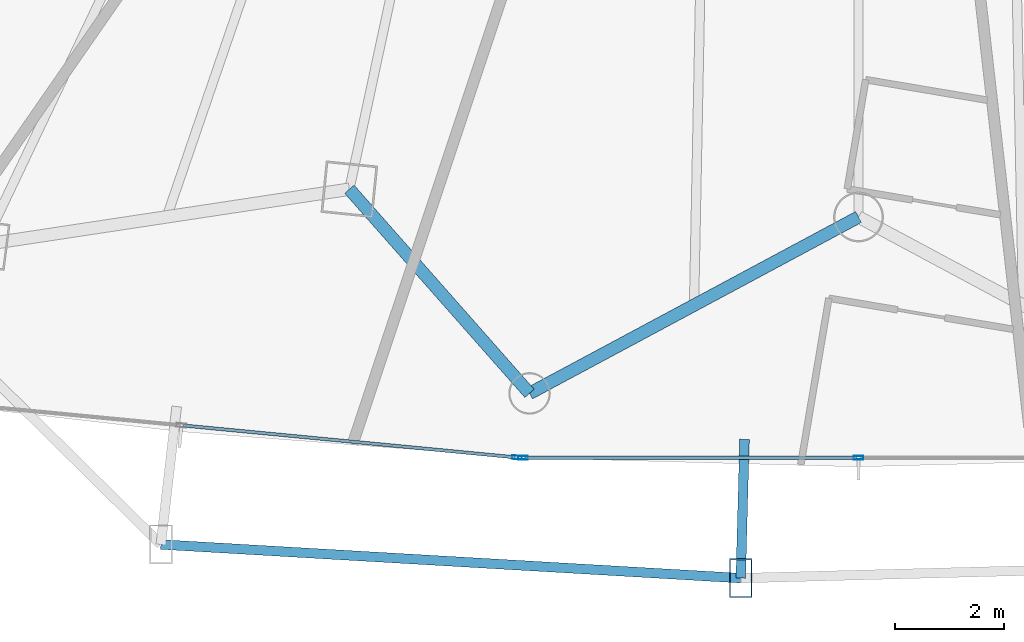
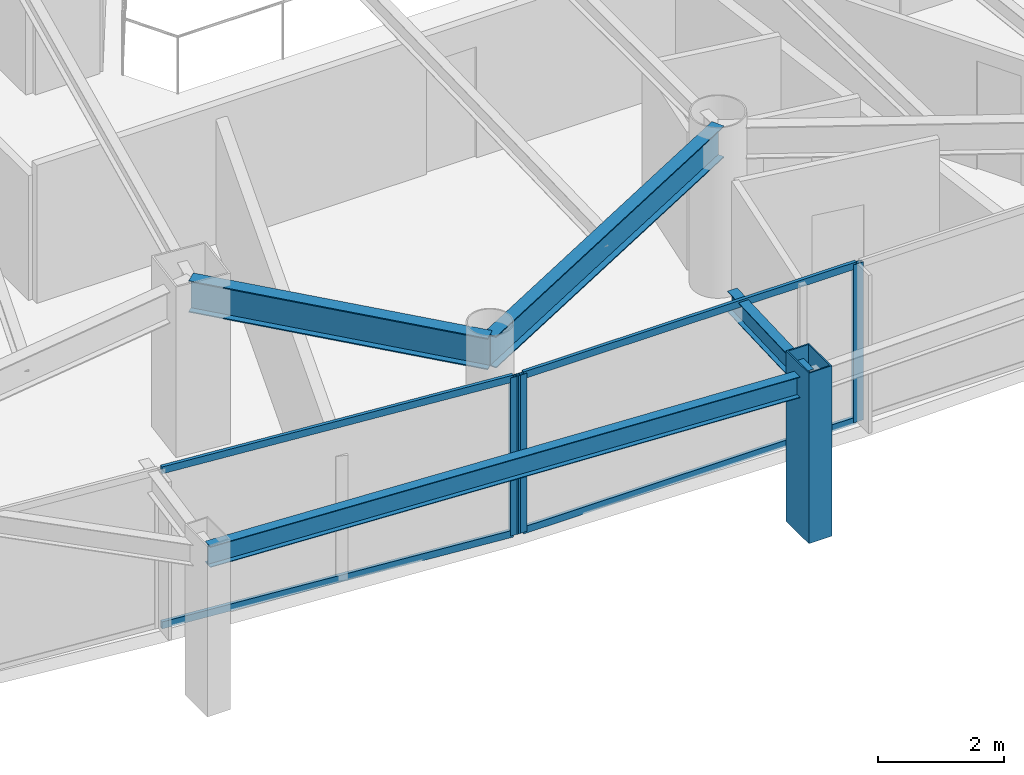
# One storey, part 6 of 33: 8 members, 4 beams, 2 elements without a shape of their own.
"""IFC4 building model written with IfcOpenShell, lengths in metres."""

from ifc_helpers import new_model, si_unit, direction, frame, origin, origin_2d, place, context, subcontext, project, spatial, hollow_rectangle, i_section, extrude, material, layer, layer_set, material_profile, profile_set, type_object, element, aggregate, save


model = new_model("IFC4")

# Units and contexts
model_context = context("Model", 3, precision=1e-05, world=origin(), true_north=direction((0.0, 1.0)))
body_context = subcontext(model_context, "Body", "Model", "MODEL_VIEW")
ifc_project = project(units=[si_unit("LENGTHUNIT", "METRE"), si_unit("AREAUNIT", "SQUARE_METRE"), si_unit("VOLUMEUNIT", "CUBIC_METRE"), si_unit("PLANEANGLEUNIT", "RADIAN"), si_unit("MASSUNIT", "GRAM", prefix="KILO")], contexts=[model_context])

# Site, building, storey
site_placement = place(None, origin())
site = spatial("IfcSite", under=ifc_project, at=site_placement, CompositionType="ELEMENT")
building_placement = place(site_placement, origin())
building = spatial("IfcBuilding", under=site, at=building_placement, Name="Orvanel Arch Residences", CompositionType="ELEMENT")
storey_placement = place(building_placement, frame((0.0, 0.0, 90.64990234375)))
storey = spatial("IfcBuildingStorey", under=building, at=storey_placement, Name="L25", CompositionType="ELEMENT", Elevation=90.64990234375)

# Member
ifc_material_1 = material(Name="Structural steel AS/NZS 3678 Grade 350", Category="steel")
ifc_material_profile_1 = material_profile(ifc_material_1, hollow_rectangle(XDim=0.419921875, YDim=0.719970703125, WallThickness=0.02490234375, at=origin_2d()), Name="RHS720x420x25")
ifc_profile_set_1 = profile_set([ifc_material_profile_1], Name="Structural steel AS/NZS 3678 Grade 350")
member_type_1 = type_object("IfcMemberType", Name="CH-720RHS-EXT", PredefinedType="CHORD", material=ifc_profile_set_1)
member_1_placement = place(storey_placement, frame((30.8369140625, 0.2119140625, 0.0), z_axis=(0.0, 0.0, 1.0), x_axis=(1.0, 0.0, 0.0)))
element("IfcMember", 1, at=member_1_placement, inside=storey, type_object=member_type_1, Name="L25 Outer Perimeter Frame Post 06", PredefinedType="CHORD", context=body_context, shape_type="SweptSolid", body=[
    extrude(hollow_rectangle(XDim=0.419921875, YDim=0.719970703125, WallThickness=0.02490234375, at=origin_2d()), origin(), (0.0, 0.0, 1.0), 3.300048828125),
])

# Curtain wall, member
ifc_material_2 = material(Name="Bronze-anodised aluminium AA6063-T6", Category="aluminium")
ifc_layer = layer(ifc_material_2, 0.179931640625)
ifc_layer_set = layer_set([ifc_layer], Name="Bronze-anodised aluminium AA6063-T6")
curtain_wall_type = type_object("IfcCurtainWallType", Name="CW2-LOW-SYS", PredefinedType="NOTDEFINED", material=ifc_layer_set)
curtain_wall_1_placement = place(storey_placement, origin())
curtain_wall_1 = element("IfcCurtainWall", 2, at=curtain_wall_1_placement, inside=storey, type_object=curtain_wall_type, Name="L25 CW2-LOW-SYS Unitised Curtain Wall", PredefinedType="NOTDEFINED")
ifc_material_profile_2 = material_profile(ifc_material_2, hollow_rectangle(XDim=0.070068359375, YDim=0.179931640625, WallThickness=0.00439453125, at=origin_2d()), Name="ALU180x70x4.5")
ifc_profile_set_2 = profile_set([ifc_material_profile_2], Name="Bronze-anodised aluminium AA6063-T6")
member_type_2 = type_object("IfcMemberType", Name="MUL-180x70", PredefinedType="MULLION", material=ifc_profile_set_2)
member_2_placement = place(storey_placement, frame((26.728271484375, 2.42724609375, 0.0), z_axis=(0.0, 0.0, 1.0), x_axis=(0.095487456477, 0.995430633272, 0.0)))
member_2 = element("IfcMember", 3, at=member_2_placement, type_object=member_type_2, Name="CW-S2 mullion 3", PredefinedType="MULLION", context=body_context, shape_type="SweptSolid", body=[
    extrude(hollow_rectangle(XDim=0.070068359375, YDim=0.179931640625, WallThickness=0.00439453125, at=origin_2d()), origin(), (0.0, 0.0, 1.0), 3.06005859375),
])

# Curtain wall, members
curtain_wall_2_placement = place(storey_placement, origin())
curtain_wall_2 = element("IfcCurtainWall", 4, at=curtain_wall_2_placement, inside=storey, type_object=curtain_wall_type, Name="L25 CW2-LOW-SYS Unitised Curtain Wall", PredefinedType="NOTDEFINED")
member_3_placement = place(storey_placement, frame((26.837890625, 2.422119140625, 0.0), z_axis=(0.0, 0.0, 1.0), x_axis=(0.0, 1.0, 0.0)))
member_3 = element("IfcMember", 5, at=member_3_placement, type_object=member_type_2, Name="CW-S2 mullion 1", PredefinedType="MULLION", context=body_context, shape_type="SweptSolid", body=[
    extrude(hollow_rectangle(XDim=0.070068359375, YDim=0.179931640625, WallThickness=0.00439453125, at=origin_2d()), origin(), (0.0, 0.0, 1.0), 3.06005859375),
])
member_4_placement = place(storey_placement, frame((33.0, 2.422119140625, 0.0), z_axis=(0.0, 0.0, 1.0), x_axis=(0.0, 1.0, 0.0)))
member_4 = element("IfcMember", 6, at=member_4_placement, type_object=member_type_2, Name="CW-S2 mullion 2", PredefinedType="MULLION", context=body_context, shape_type="SweptSolid", body=[
    extrude(hollow_rectangle(XDim=0.070068359375, YDim=0.179931640625, WallThickness=0.00439453125, at=origin_2d()), origin(), (0.0, 0.0, 1.0), 3.06005859375),
])

# Beams
ifc_material_3 = material(Name="Structural steel AS/NZS 3679.1 Grade 300 (300 MPa)", Category="steel")
ifc_material_profile_3 = material_profile(ifc_material_3, i_section(OverallWidth=0.177978515625, OverallDepth=0.406005859375, WebThickness=0.0078125, FlangeThickness=0.0126953125, at=origin_2d()), Name="410UB59.7")
ifc_profile_set_3 = profile_set([ifc_material_profile_3], Name="Structural steel AS/NZS 3679.1 Grade 300 (300 MPa)")
beam_type_1 = type_object("IfcBeamType", Name="OB-410UB-EXT", PredefinedType="SPANDREL", material=ifc_profile_set_3)
beam_1_placement = place(storey_placement, frame((20.18701171875, 0.830078125, 2.857177734375), z_axis=(0.998319685562, -0.057946573835, 0.0), x_axis=(0.057946573835, 0.998319685562, 0.0)))
element("IfcBeam", 7, at=beam_1_placement, inside=storey, type_object=beam_type_1, Name="L25 Outer Perimeter Floor Ring Beam 05", PredefinedType="SPANDREL", context=body_context, shape_type="SweptSolid", body=[
    extrude(i_section(OverallWidth=0.177978515625, OverallDepth=0.406005859375, WebThickness=0.0078125, FlangeThickness=0.0126953125, at=origin_2d()), origin(), (0.0, 0.0, 1.0), 10.667724609375),
])
beam_2_placement = place(storey_placement, frame((30.906005859375, 2.760986328125, 2.857177734375), z_axis=(-0.027094732526, -0.999632870343, 0.0), x_axis=(0.999632870343, -0.027094732526, 0.0)))
element("IfcBeam", 8, at=beam_2_placement, inside=storey, type_object=beam_type_1, Name="L25 Outer Frame Radial Tie Beam 06", PredefinedType="SPANDREL", context=body_context, shape_type="SweptSolid", body=[
    extrude(i_section(OverallWidth=0.177978515625, OverallDepth=0.406005859375, WebThickness=0.0078125, FlangeThickness=0.0126953125, at=origin_2d()), origin(), (0.0, 0.0, 1.0), 2.550048828125),
])
ifc_material_profile_4 = material_profile(ifc_material_3, i_section(OverallWidth=0.22900390625, OverallDepth=0.612060546875, WebThickness=0.011962890625, FlangeThickness=0.01953125, at=origin_2d()), Name="610UB125")
ifc_profile_set_4 = profile_set([ifc_material_profile_4], Name="Structural steel AS/NZS 3679.1 Grade 300 (300 MPa)")
beam_type_2 = type_object("IfcBeamType", Name="SP-610UB", PredefinedType="SPANDREL", material=ifc_profile_set_4)
beam_3_placement = place(storey_placement, frame((23.64892578125, 7.35498046875, 2.754150390625), z_axis=(0.661650698195, -0.749812212209, 0.0), x_axis=(0.749812212209, 0.661650698195, 0.0)))
element("IfcBeam", 9, at=beam_3_placement, inside=storey, type_object=beam_type_2, Name="L25 Perimeter Spandrel Beam 05", PredefinedType="SPANDREL", context=body_context, shape_type="SweptSolid", body=[
    extrude(i_section(OverallWidth=0.22900390625, OverallDepth=0.612060546875, WebThickness=0.011962890625, FlangeThickness=0.01953125, at=origin_2d()), origin(), (0.0, 0.0, 1.0), 5.001220703125),
])
beam_4_placement = place(storey_placement, frame((26.9580078125, 3.60498046875, 2.754150390625), z_axis=(0.881344400551, 0.472474388319, 0.0), x_axis=(-0.472474388319, 0.881344400551, 0.0)))
element("IfcBeam", 10, at=beam_4_placement, inside=storey, type_object=beam_type_2, Name="L25 Perimeter Spandrel Beam 06", PredefinedType="SPANDREL", context=body_context, shape_type="SweptSolid", body=[
    extrude(i_section(OverallWidth=0.22900390625, OverallDepth=0.612060546875, WebThickness=0.011962890625, FlangeThickness=0.01953125, at=origin_2d()), origin(), (0.0, 0.0, 1.0), 6.85546875),
])

# Member
ifc_material_profile_5 = material_profile(ifc_material_2, hollow_rectangle(XDim=0.06005859375, YDim=0.135009765625, WallThickness=0.00390625, at=origin_2d()), Name="ALU135x60x4")
ifc_profile_set_5 = profile_set([ifc_material_profile_5], Name="Bronze-anodised aluminium AA6063-T6")
member_type_3 = type_object("IfcMemberType", Name="TRN-135x60", PredefinedType="USERDEFINED", material=ifc_profile_set_5)
member_5_placement = place(storey_placement, frame((20.600341796875, 3.01513671875, 0.030029296875), z_axis=(0.995430707597, -0.095486681652, 0.0), x_axis=(0.095486681652, 0.995430707597, 0.0)))
member_5 = element("IfcMember", 11, at=member_5_placement, type_object=member_type_3, Name="CW-S2 transom 2.1", ObjectType="TRANSOM", PredefinedType="USERDEFINED", context=body_context, shape_type="SweptSolid", body=[
    extrude(hollow_rectangle(XDim=0.06005859375, YDim=0.135009765625, WallThickness=0.00390625, at=origin_2d()), origin(), (0.0, 0.0, 1.0), 6.12109375),
])

member_6_placement = place(storey_placement, frame((20.600341796875, 3.01513671875, 3.030029296875), z_axis=(0.995430707597, -0.095486681652, 0.0), x_axis=(0.095486681652, 0.995430707597, 0.0)))
member_6 = element("IfcMember", 12, at=member_6_placement, type_object=member_type_3, Name="CW-S2 transom 2.2", ObjectType="TRANSOM", PredefinedType="USERDEFINED", context=body_context, shape_type="SweptSolid", body=[
    extrude(hollow_rectangle(XDim=0.06005859375, YDim=0.135009765625, WallThickness=0.00390625, at=origin_2d()), origin(), (0.0, 0.0, 1.0), 6.12109375),
])

aggregate(curtain_wall_1, [member_2, member_5, member_6])

member_7_placement = place(storey_placement, frame((26.873046875, 2.422119140625, 0.030029296875), z_axis=(1.0, 0.0, 0.0), x_axis=(0.0, 1.0, 0.0)))
member_7 = element("IfcMember", 13, at=member_7_placement, type_object=member_type_3, Name="CW-S2 transom 1.1", ObjectType="TRANSOM", PredefinedType="USERDEFINED", context=body_context, shape_type="SweptSolid", body=[
    extrude(hollow_rectangle(XDim=0.06005859375, YDim=0.135009765625, WallThickness=0.00390625, at=origin_2d()), origin(), (0.0, 0.0, 1.0), 6.092041015625),
])

member_8_placement = place(storey_placement, frame((26.873046875, 2.422119140625, 3.030029296875), z_axis=(1.0, 0.0, 0.0), x_axis=(0.0, 1.0, 0.0)))
member_8 = element("IfcMember", 14, at=member_8_placement, type_object=member_type_3, Name="CW-S2 transom 1.2", ObjectType="TRANSOM", PredefinedType="USERDEFINED", context=body_context, shape_type="SweptSolid", body=[
    extrude(hollow_rectangle(XDim=0.06005859375, YDim=0.135009765625, WallThickness=0.00390625, at=origin_2d()), origin(), (0.0, 0.0, 1.0), 6.092041015625),
])

aggregate(curtain_wall_2, [member_3, member_4, member_7, member_8])

save(model, "model.ifc")
